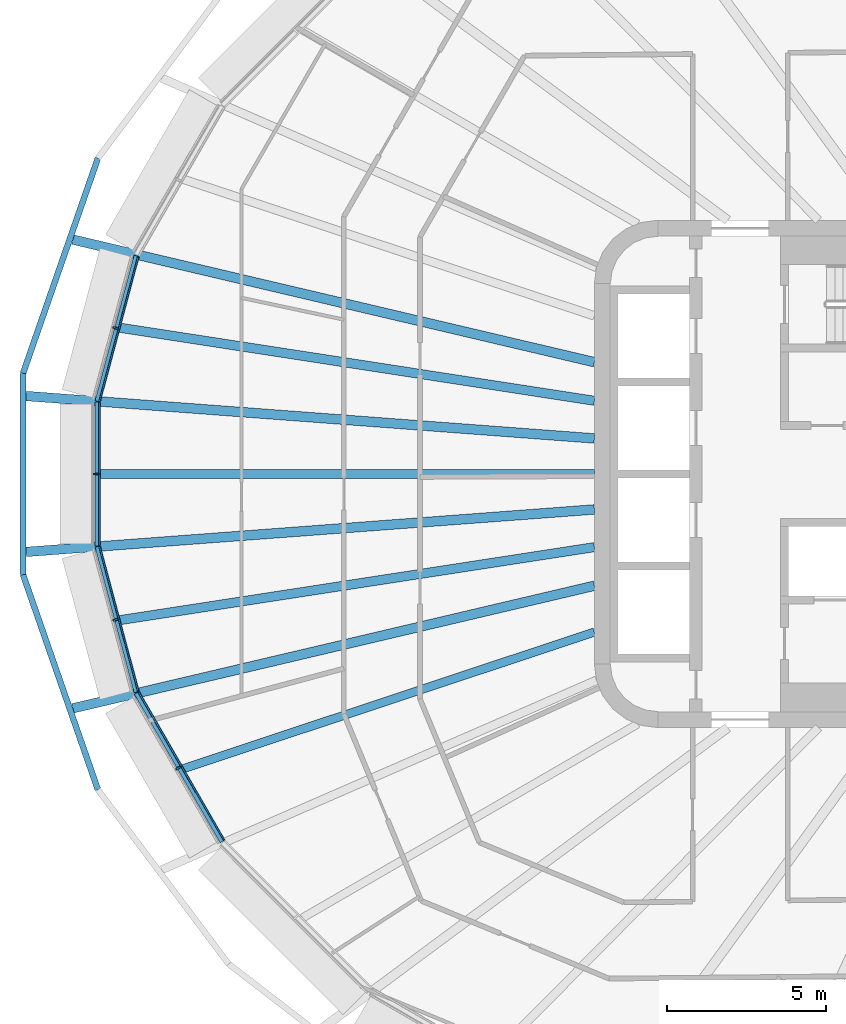
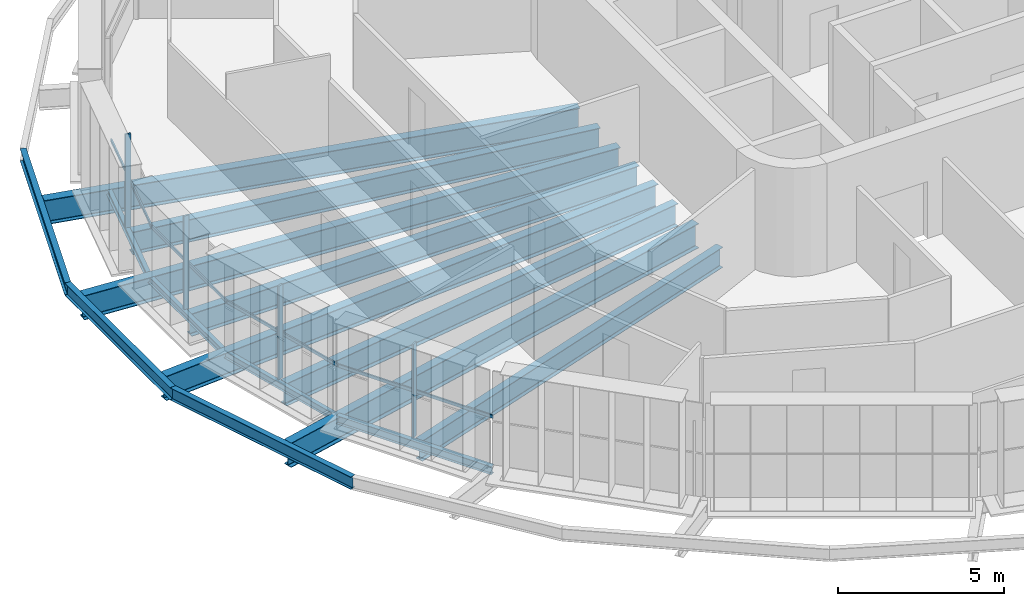
# One storey, part 2 of 22: 15 beams, 8 members, 4 elements without a shape of their own.
"""IFC4 building model written with IfcOpenShell, lengths in metres."""

from ifc_helpers import new_model, si_unit, direction, frame, origin, origin_2d, place, context, subcontext, project, spatial, rectangle, i_section, extrude, material, layer, layer_set, material_profile, profile_set, type_object, element, aggregate, save


model = new_model("IFC4")

# Units and contexts
model_context = context("Model", 3, precision=1e-05, world=origin(), true_north=direction((0.0, 1.0)))
body_context = subcontext(model_context, "Body", "Model", "MODEL_VIEW")
ifc_project = project(units=[si_unit("LENGTHUNIT", "METRE"), si_unit("AREAUNIT", "SQUARE_METRE"), si_unit("VOLUMEUNIT", "CUBIC_METRE"), si_unit("PLANEANGLEUNIT", "RADIAN"), si_unit("MASSUNIT", "GRAM", prefix="KILO")], contexts=[model_context])

# Site, building, storey
site_placement = place(None, origin())
site = spatial("IfcSite", under=ifc_project, at=site_placement, CompositionType="ELEMENT")
building_placement = place(site_placement, origin())
building = spatial("IfcBuilding", under=site, at=building_placement, Name="Sahrelin Media Tower", CompositionType="ELEMENT")
storey_placement = place(building_placement, frame((0.0, 0.0, 189.60009765625)))
storey = spatial("IfcBuildingStorey", under=building, at=storey_placement, Name="L40", CompositionType="ELEMENT", Elevation=189.60009765625)

# Beams
ifc_material_1 = material(Name="Steel S355", Category="steel")
ifc_material_profile_1 = material_profile(ifc_material_1, i_section(OverallWidth=0.14599609375, OverallDepth=0.25146484375, WebThickness=0.006103515625, FlangeThickness=0.008544921875, FilletRadius=0.007568359375, at=origin_2d()), Name="UB 254x146x31")
ifc_profile_set_1 = profile_set([ifc_material_profile_1], Name="Steel S355")
beam_type_1 = type_object("IfcBeamType", Name="Edge beam EB1", PredefinedType="BEAM", material=ifc_profile_set_1)
beam_1_placement = place(storey_placement, frame((-29.445068359375, -6.880615234375, -0.27587890625), z_axis=(-0.258840645059, 0.965920038339, 0.0), x_axis=(-0.965920038339, -0.258840645059, 0.0)))
element("IfcBeam", 1, at=beam_1_placement, inside=storey, type_object=beam_type_1, Name="Edge beam L40-12", PredefinedType="BEAM", context=body_context, shape_type="SweptSolid", body=[
    extrude(i_section(OverallWidth=0.14599609375, OverallDepth=0.25146484375, WebThickness=0.006103515625, FlangeThickness=0.008544921875, FilletRadius=0.007568359375, at=origin_2d()), origin(), (0.0, 0.0, 1.0), 4.746337890625),
])
beam_2_placement = place(storey_placement, frame((-30.67724609375, -2.267578125, -0.27587890625), z_axis=(0.0, 1.0, 0.0), x_axis=(-1.0, 0.0, 0.0)))
element("IfcBeam", 2, at=beam_2_placement, inside=storey, type_object=beam_type_1, Name="Edge beam L40-13", PredefinedType="BEAM", context=body_context, shape_type="SweptSolid", body=[
    extrude(i_section(OverallWidth=0.14599609375, OverallDepth=0.25146484375, WebThickness=0.006103515625, FlangeThickness=0.008544921875, FilletRadius=0.007568359375, at=origin_2d()), origin(), (0.0, 0.0, 1.0), 4.53515625),
])
beam_3_placement = place(storey_placement, frame((-30.673583984375, 2.296142578125, -0.27587890625), z_axis=(0.258840645059, 0.965920038339, 0.0), x_axis=(-0.965920038339, 0.258840645059, 0.0)))
element("IfcBeam", 3, at=beam_3_placement, inside=storey, type_object=beam_type_1, Name="Edge beam L40-14", PredefinedType="BEAM", context=body_context, shape_type="SweptSolid", body=[
    extrude(i_section(OverallWidth=0.14599609375, OverallDepth=0.25146484375, WebThickness=0.006103515625, FlangeThickness=0.008544921875, FilletRadius=0.007568359375, at=origin_2d()), origin(), (0.0, 0.0, 1.0), 4.746337890625),
])
ifc_material_profile_2 = material_profile(ifc_material_1, i_section(OverallWidth=0.1650390625, OverallDepth=0.303466796875, WebThickness=0.006103515625, FlangeThickness=0.01025390625, FilletRadius=0.0087890625, at=origin_2d()), Name="UB 305x165x40")
ifc_profile_set_2 = profile_set([ifc_material_profile_2], Name="Steel S355")
beam_type_2 = type_object("IfcBeamType", Name="Edge beam EB2", PredefinedType="BEAM", material=ifc_profile_set_2)
beam_4_placement = place(storey_placement, frame((-26.728759765625, -11.5927734375, -0.3017578125), z_axis=(-0.500016705875, 0.866015758428, 0.0), x_axis=(-0.866015758428, -0.500016705875, 0.0)))
element("IfcBeam", 4, at=beam_4_placement, inside=storey, type_object=beam_type_2, Name="Edge beam L40-11", PredefinedType="BEAM", context=body_context, shape_type="SweptSolid", body=[
    extrude(i_section(OverallWidth=0.1650390625, OverallDepth=0.303466796875, WebThickness=0.006103515625, FlangeThickness=0.01025390625, FilletRadius=0.0087890625, at=origin_2d()), origin(), (0.0, 0.0, 1.0), 5.410400390625),
])

# Curtain wall, member
ifc_material_2 = material(Name="Champagne anodised aluminium 6063-T6", Category="aluminium")
ifc_layer = layer(ifc_material_2, 0.14990234375)
ifc_layer_set = layer_set([ifc_layer], Name="Tower ribbon curtain wall")
curtain_wall_type = type_object("IfcCurtainWallType", Name="Tower ribbon curtain wall", PredefinedType="NOTDEFINED", material=ifc_layer_set)
curtain_wall_1_placement = place(storey_placement, frame((-30.2041015625, 4.627197265625, 0.0), z_axis=(0.0, 0.0, 1.0), x_axis=(1.0, 0.0, 0.0)))
curtain_wall_1 = element("IfcCurtainWall", 5, at=curtain_wall_1_placement, inside=storey, type_object=curtain_wall_type, Name="L40:CW:L40-11", PredefinedType="NOTDEFINED")
ifc_material_profile_3 = material_profile(ifc_material_2, rectangle(XDim=0.06005859375, YDim=0.175048828125, at=origin_2d()), Name="Mullion 60x175")
ifc_profile_set_3 = profile_set([ifc_material_profile_3], Name="Champagne anodised aluminium 6063-T6")
member_type_1 = type_object("IfcMemberType", Name="Mullion 60x175 CW1B", PredefinedType="MULLION", material=ifc_profile_set_3)
member_1_placement = place(storey_placement, frame((-30.100341796875, 4.599365234375, 0.0), z_axis=(0.0, 0.0, 1.0), x_axis=(-0.25882916024, -0.965923115889, 0.0)))
member_1 = element("IfcMember", 6, at=member_1_placement, type_object=member_type_1, Name="L40:CWM:L40-11", PredefinedType="MULLION", context=body_context, shape_type="SweptSolid", body=[
    extrude(rectangle(XDim=0.06005859375, YDim=0.175048828125, at=origin_2d()), origin(), (0.0, 0.0, 1.0), 3.448486328125),
])

curtain_wall_2_placement = place(storey_placement, frame((-30.827392578125, 0.0, 0.0), z_axis=(0.0, 0.0, 1.0), x_axis=(1.0, 0.0, 0.0)))
curtain_wall_2 = element("IfcCurtainWall", 7, at=curtain_wall_2_placement, inside=storey, type_object=curtain_wall_type, Name="L40:CW:L40-12", PredefinedType="NOTDEFINED")
member_2_placement = place(storey_placement, frame((-30.7197265625, 0.0, 0.0), z_axis=(0.0, 0.0, 1.0), x_axis=(0.0, -1.0, 0.0)))
member_2 = element("IfcMember", 8, at=member_2_placement, type_object=member_type_1, Name="L40:CWM:L40-12", PredefinedType="MULLION", context=body_context, shape_type="SweptSolid", body=[
    extrude(rectangle(XDim=0.06005859375, YDim=0.175048828125, at=origin_2d()), origin(), (0.0, 0.0, 1.0), 3.448486328125),
])

curtain_wall_3_placement = place(storey_placement, frame((-30.2041015625, -4.627197265625, 0.0), z_axis=(0.0, 0.0, 1.0), x_axis=(1.0, 0.0, 0.0)))
curtain_wall_3 = element("IfcCurtainWall", 9, at=curtain_wall_3_placement, inside=storey, type_object=curtain_wall_type, Name="L40:CW:L40-13", PredefinedType="NOTDEFINED")
member_3_placement = place(storey_placement, frame((-30.100341796875, -4.599365234375, 0.0), z_axis=(0.0, 0.0, 1.0), x_axis=(0.25882916024, -0.965923115889, 0.0)))
member_3 = element("IfcMember", 10, at=member_3_placement, type_object=member_type_1, Name="L40:CWM:L40-13", PredefinedType="MULLION", context=body_context, shape_type="SweptSolid", body=[
    extrude(rectangle(XDim=0.06005859375, YDim=0.175048828125, at=origin_2d()), origin(), (0.0, 0.0, 1.0), 3.448486328125),
])

curtain_wall_4_placement = place(storey_placement, frame((-28.211181640625, -9.324951171875, 0.0), z_axis=(0.0, 0.0, 1.0), x_axis=(1.0, 0.0, 0.0)))
curtain_wall_4 = element("IfcCurtainWall", 11, at=curtain_wall_4_placement, inside=storey, type_object=curtain_wall_type, Name="L40:CW:L40-14", PredefinedType="NOTDEFINED")
member_4_placement = place(storey_placement, frame((-28.118408203125, -9.271240234375, 0.0), z_axis=(0.0, 0.0, 1.0), x_axis=(0.499996976998, -0.866027149108, 0.0)))
member_4 = element("IfcMember", 12, at=member_4_placement, type_object=member_type_1, Name="L40:CWM:L40-14", PredefinedType="MULLION", context=body_context, shape_type="SweptSolid", body=[
    extrude(rectangle(XDim=0.06005859375, YDim=0.175048828125, at=origin_2d()), origin(), (0.0, 0.0, 1.0), 3.448486328125),
])

# Beams
ifc_material_profile_4 = material_profile(ifc_material_1, i_section(OverallWidth=0.30322265625, OverallDepth=0.903076171875, WebThickness=0.01513671875, FlangeThickness=0.020263671875, FilletRadius=0.01904296875, at=origin_2d()), Name="UB 914x305x201")
ifc_profile_set_4 = profile_set([ifc_material_profile_4], Name="Steel S355")
beam_type_3 = type_object("IfcBeamType", Name="Radial primary beam PB11", PredefinedType="BEAM", material=ifc_profile_set_4)
beam_5_placement = place(storey_placement, frame((-15.0, 3.525390625, -0.6015625), z_axis=(-0.973472662626, 0.228803354697, 0.0), x_axis=(-0.228803354697, -0.973472662626, 0.0)))
element("IfcBeam", 13, at=beam_5_placement, inside=storey, type_object=beam_type_3, Name="Radial beam L40-11", PredefinedType="BEAM", context=body_context, shape_type="SweptSolid", body=[
    extrude(i_section(OverallWidth=0.30322265625, OverallDepth=0.903076171875, WebThickness=0.01513671875, FlangeThickness=0.020263671875, FilletRadius=0.01904296875, at=origin_2d()), origin(), (0.0, 0.0, 1.0), 16.896484375),
])
for number, where, z_axis, x_axis, name in (
    (14, (-15.0, 1.1201171875, -0.6015625), (-0.997224479283, 0.074453595747, 0.0), (-0.074453595747, -0.997224479283, 0.0), "Radial beam L40-12"),
    (15, (-15.0, -1.1201171875, -0.6015625), (-0.997224479283, -0.074453595747, 0.0), (0.074453595747, -0.997224479283, 0.0), "Radial beam L40-13"),
):
    element("IfcBeam", number, at=place(storey_placement, frame(where, z_axis=z_axis, x_axis=x_axis)), inside=storey, type_object=beam_type_3, Name=name, PredefinedType="BEAM", context=body_context, shape_type="SweptSolid", body=[
        extrude(i_section(OverallWidth=0.30322265625, OverallDepth=0.903076171875, WebThickness=0.01513671875, FlangeThickness=0.020263671875, FilletRadius=0.01904296875, at=origin_2d()), origin(), (0.0, 0.0, 1.0), 17.97265625),
    ])
beam_6_placement = place(storey_placement, frame((-15.0, -3.525390625, -0.6015625), z_axis=(-0.973472662626, -0.228803354697, 0.0), x_axis=(0.228803354697, -0.973472662626, 0.0)))
element("IfcBeam", 16, at=beam_6_placement, inside=storey, type_object=beam_type_3, Name="Radial beam L40-14", PredefinedType="BEAM", context=body_context, shape_type="SweptSolid", body=[
    extrude(i_section(OverallWidth=0.30322265625, OverallDepth=0.903076171875, WebThickness=0.01513671875, FlangeThickness=0.020263671875, FilletRadius=0.01904296875, at=origin_2d()), origin(), (0.0, 0.0, 1.0), 16.896484375),
])
ifc_material_profile_5 = material_profile(ifc_material_1, i_section(OverallWidth=0.291748046875, OverallDepth=0.8349609375, WebThickness=0.013916015625, FlangeThickness=0.018798828125, FilletRadius=0.017822265625, at=origin_2d()), Name="UB 838x292x176")
ifc_profile_set_5 = profile_set([ifc_material_profile_5], Name="Steel S355")
beam_type_4 = type_object("IfcBeamType", Name="Radial secondary beam SB10", PredefinedType="BEAM", material=ifc_profile_set_5)
beam_7_placement = place(storey_placement, frame((-15.0, 2.308349609375, -0.567626953125), z_axis=(-0.988366481837, 0.152091083176, 0.0), x_axis=(-0.152091083176, -0.988366481837, 0.0)))
element("IfcBeam", 17, at=beam_7_placement, inside=storey, type_object=beam_type_4, Name="Secondary beam L40-11", PredefinedType="BEAM", context=body_context, shape_type="SweptSolid", body=[
    extrude(i_section(OverallWidth=0.291748046875, OverallDepth=0.8349609375, WebThickness=0.013916015625, FlangeThickness=0.018798828125, FilletRadius=0.017822265625, at=origin_2d()), origin(), (0.0, 0.0, 1.0), 15.1533203125),
])
beam_8_placement = place(storey_placement, frame((-15.0, 0.0, -0.567626953125), z_axis=(-1.0, 0.0, 0.0), x_axis=(0.0, -1.0, 0.0)))
element("IfcBeam", 18, at=beam_8_placement, inside=storey, type_object=beam_type_4, Name="Secondary beam L40-12", PredefinedType="BEAM", context=body_context, shape_type="SweptSolid", body=[
    extrude(i_section(OverallWidth=0.291748046875, OverallDepth=0.8349609375, WebThickness=0.013916015625, FlangeThickness=0.018798828125, FilletRadius=0.017822265625, at=origin_2d()), origin(), (0.0, 0.0, 1.0), 15.604248046875),
])
beam_9_placement = place(storey_placement, frame((-15.0, -2.308349609375, -0.567626953125), z_axis=(-0.988366481837, -0.152091083176, 0.0), x_axis=(0.152091083176, -0.988366481837, 0.0)))
element("IfcBeam", 19, at=beam_9_placement, inside=storey, type_object=beam_type_4, Name="Secondary beam L40-13", PredefinedType="BEAM", context=body_context, shape_type="SweptSolid", body=[
    extrude(i_section(OverallWidth=0.291748046875, OverallDepth=0.8349609375, WebThickness=0.013916015625, FlangeThickness=0.018798828125, FilletRadius=0.017822265625, at=origin_2d()), origin(), (0.0, 0.0, 1.0), 15.1533203125),
])
ifc_material_profile_6 = material_profile(ifc_material_1, i_section(OverallWidth=0.26513671875, OverallDepth=0.75390625, WebThickness=0.0126953125, FlangeThickness=0.017578125, FilletRadius=0.0166015625, at=origin_2d()), Name="UB 762x267x147")
ifc_profile_set_6 = profile_set([ifc_material_profile_6], Name="Steel S355")
beam_type_5 = type_object("IfcBeamType", Name="Radial secondary beam SB9", PredefinedType="BEAM", material=ifc_profile_set_6)
beam_10_placement = place(storey_placement, frame((-15.0, -4.986083984375, -0.527099609375), z_axis=(-0.948949304443, -0.315428625204, 0.0), x_axis=(0.315428625204, -0.948949304443, 0.0)))
element("IfcBeam", 20, at=beam_10_placement, inside=storey, type_object=beam_type_5, Name="Secondary beam L40-14", PredefinedType="BEAM", context=body_context, shape_type="SweptSolid", body=[
    extrude(i_section(OverallWidth=0.26513671875, OverallDepth=0.75390625, WebThickness=0.0126953125, FlangeThickness=0.017578125, FilletRadius=0.0166015625, at=origin_2d()), origin(), (0.0, 0.0, 1.0), 13.657958984375),
])
ifc_material_profile_7 = material_profile(ifc_material_1, i_section(OverallWidth=0.1904296875, OverallDepth=0.45703125, WebThickness=0.009033203125, FlangeThickness=0.014404296875, FilletRadius=0.01025390625, at=origin_2d()), Name="UB 457x191x74")
ifc_profile_set_7 = profile_set([ifc_material_profile_7], Name="Steel S355")
beam_type_6 = type_object("IfcBeamType", Name="Tie chord TC5", PredefinedType="BEAM", material=ifc_profile_set_7)
beam_11_placement = place(storey_placement, frame((-30.655029296875, 9.9599609375, -0.378662109375), z_axis=(-0.32877488507, -0.944408320033, 0.0), x_axis=(0.944408320033, -0.32877488507, 0.0)))
element("IfcBeam", 21, at=beam_11_placement, inside=storey, type_object=beam_type_6, Name="Tie chord L40-11", PredefinedType="BEAM", context=body_context, shape_type="SweptSolid", body=[
    extrude(i_section(OverallWidth=0.1904296875, OverallDepth=0.45703125, WebThickness=0.009033203125, FlangeThickness=0.014404296875, FilletRadius=0.01025390625, at=origin_2d()), origin(), (0.0, 0.0, 1.0), 7.1875),
])
beam_12_placement = place(storey_placement, frame((-33.01806640625, 3.172119140625, -0.378662109375), z_axis=(0.0, -1.0, 0.0), x_axis=(1.0, 0.0, 0.0)))
element("IfcBeam", 22, at=beam_12_placement, inside=storey, type_object=beam_type_6, Name="Tie chord L40-12", PredefinedType="BEAM", context=body_context, shape_type="SweptSolid", body=[
    extrude(i_section(OverallWidth=0.1904296875, OverallDepth=0.45703125, WebThickness=0.009033203125, FlangeThickness=0.014404296875, FilletRadius=0.01025390625, at=origin_2d()), origin(), (0.0, 0.0, 1.0), 6.34423828125),
])
beam_13_placement = place(storey_placement, frame((-33.01806640625, -3.172119140625, -0.378662109375), z_axis=(0.32877488507, -0.944408320033, 0.0), x_axis=(0.944408320033, 0.32877488507, 0.0)))
element("IfcBeam", 23, at=beam_13_placement, inside=storey, type_object=beam_type_6, Name="Tie chord L40-13", PredefinedType="BEAM", context=body_context, shape_type="SweptSolid", body=[
    extrude(i_section(OverallWidth=0.1904296875, OverallDepth=0.45703125, WebThickness=0.009033203125, FlangeThickness=0.014404296875, FilletRadius=0.01025390625, at=origin_2d()), origin(), (0.0, 0.0, 1.0), 7.1875),
])

# Member
ifc_material_profile_8 = material_profile(ifc_material_2, rectangle(XDim=0.050048828125, YDim=0.110107421875, at=origin_2d()), Name="Transom 50x110")
ifc_profile_set_8 = profile_set([ifc_material_profile_8], Name="Champagne anodised aluminium 6063-T6")
member_type_2 = type_object("IfcMemberType", Name="Transom 50x110 CW1B", PredefinedType="USERDEFINED", material=ifc_profile_set_8)
member_5_placement = place(storey_placement, frame((-29.381591796875, 6.847412109375, 1.599853515625), z_axis=(-0.258803380373, -0.965930023505, 0.0), x_axis=(0.965930023505, -0.258803380373, 0.0)))
member_5 = element("IfcMember", 24, at=member_5_placement, type_object=member_type_2, Name="L40:CWT:L40-11", ObjectType="TRANSOM", PredefinedType="USERDEFINED", context=body_context, shape_type="SweptSolid", body=[
    extrude(rectangle(XDim=0.050048828125, YDim=0.110107421875, at=origin_2d()), origin(), (0.0, 0.0, 1.0), 4.71484375),
])

aggregate(curtain_wall_1, [member_1, member_5])

member_6_placement = place(storey_placement, frame((-30.607421875, 2.251708984375, 1.599853515625), z_axis=(0.0, -1.0, 0.0), x_axis=(1.0, 0.0, 0.0)))
member_6 = element("IfcMember", 25, at=member_6_placement, type_object=member_type_2, Name="L40:CWT:L40-12", ObjectType="TRANSOM", PredefinedType="USERDEFINED", context=body_context, shape_type="SweptSolid", body=[
    extrude(rectangle(XDim=0.050048828125, YDim=0.110107421875, at=origin_2d()), origin(), (0.0, 0.0, 1.0), 4.50341796875),
])

aggregate(curtain_wall_2, [member_2, member_6])

member_7_placement = place(storey_placement, frame((-30.601806640625, -2.293212890625, 1.599853515625), z_axis=(0.258803380373, -0.965930023505, 0.0), x_axis=(0.965930023505, 0.258803380373, 0.0)))
member_7 = element("IfcMember", 26, at=member_7_placement, type_object=member_type_2, Name="L40:CWT:L40-13", ObjectType="TRANSOM", PredefinedType="USERDEFINED", context=body_context, shape_type="SweptSolid", body=[
    extrude(rectangle(XDim=0.050048828125, YDim=0.110107421875, at=origin_2d()), origin(), (0.0, 0.0, 1.0), 4.71484375),
])

aggregate(curtain_wall_3, [member_3, member_7])

member_8_placement = place(storey_placement, frame((-29.365478515625, -6.8857421875, 1.599853515625), z_axis=(0.499985686398, -0.866033667589, 0.0), x_axis=(0.866033667589, 0.499985686398, 0.0)))
member_8 = element("IfcMember", 27, at=member_8_placement, type_object=member_type_2, Name="L40:CWT:L40-14", ObjectType="TRANSOM", PredefinedType="USERDEFINED", context=body_context, shape_type="SweptSolid", body=[
    extrude(rectangle(XDim=0.050048828125, YDim=0.110107421875, at=origin_2d()), origin(), (0.0, 0.0, 1.0), 5.379150390625),
])

aggregate(curtain_wall_4, [member_4, member_8])

save(model, "model.ifc")
